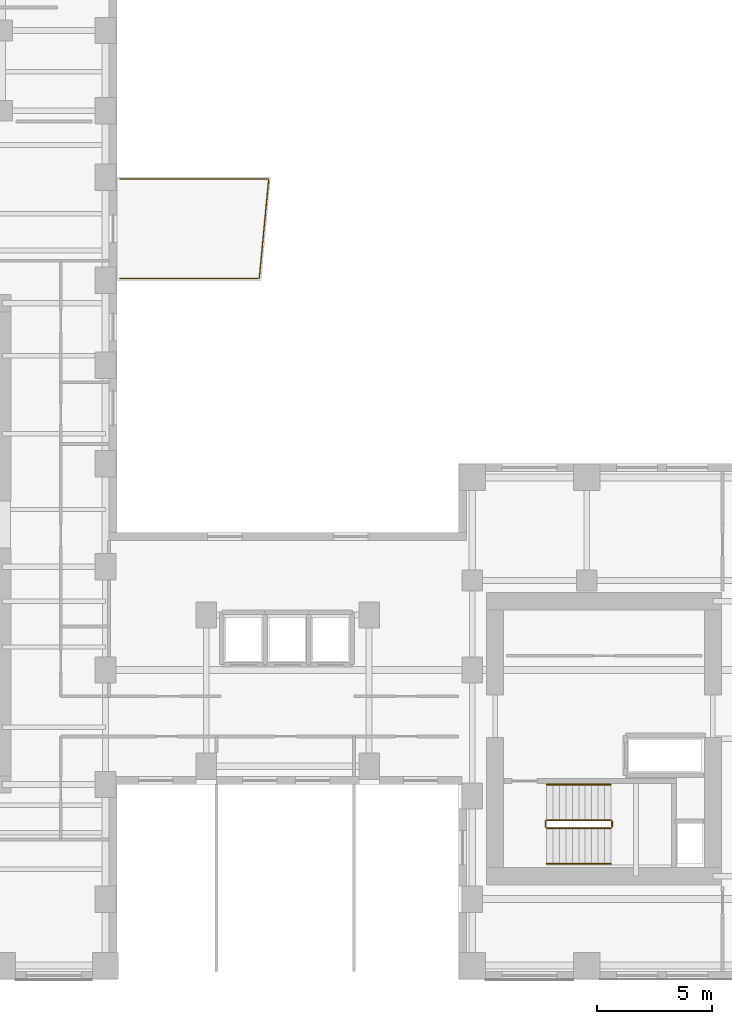
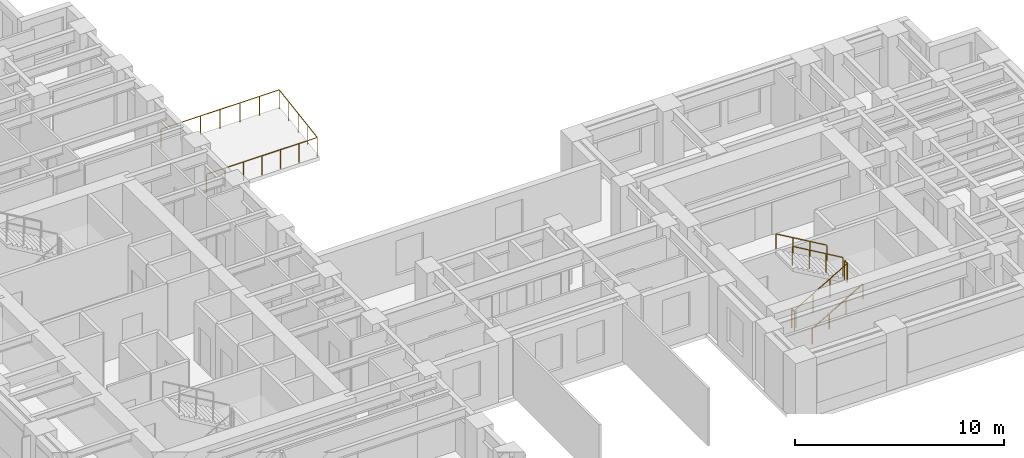
# One storey, part 11 of 11: 7 railings.
"""IFC4 building model written with IfcOpenShell, lengths in metres."""

from ifc_helpers import new_model, si_unit, direction, frame, origin, origin_2d, place, context, subcontext, project, spatial, circle, extrude, source, transform, mapped, material, layer, layer_set, type_object, element, save


model = new_model("IFC4")

# Units and contexts
model_context = context("Model", 3, precision=1e-05, world=origin(), true_north=direction((0.0, 1.0)))
body_context = subcontext(model_context, "Body", "Model", "MODEL_VIEW")
ifc_project = project(units=[si_unit("LENGTHUNIT", "METRE"), si_unit("AREAUNIT", "SQUARE_METRE"), si_unit("VOLUMEUNIT", "CUBIC_METRE"), si_unit("PLANEANGLEUNIT", "RADIAN"), si_unit("MASSUNIT", "GRAM", prefix="KILO")], contexts=[model_context])

# Site, building, storey
site_placement = place(None, origin())
site = spatial("IfcSite", under=ifc_project, at=site_placement, CompositionType="ELEMENT")
building_placement = place(site_placement, origin())
building = spatial("IfcBuilding", under=site, at=building_placement, Name="Kharzan Plaza Tower", CompositionType="ELEMENT")
storey_placement = place(building_placement, frame((0.0, 0.0, 113.39990234375)))
storey = spatial("IfcBuildingStorey", under=building, at=storey_placement, Name="L30", CompositionType="ELEMENT", Elevation=113.39990234375)

# Railings
ifc_material_1 = material(Name="Painted Galvanized Architectural Steel", Category="steel")
ifc_layer_1 = layer(ifc_material_1, 0.074951171875)
ifc_layer_set_1 = layer_set([ifc_layer_1], Name="Painted Galvanized Architectural Steel")
railing_type_1 = type_object("IfcRailingType", Name="RL-GUARD-1120", PredefinedType="BALUSTRADE", material=ifc_layer_set_1)
shared_shape_1 = source(origin(), body_context, "Body", "SweptSolid", [
    extrude(circle(Radius=0.02392578125, at=origin_2d()), frame((0.0, 0.0263671875, 1.09619140625), z_axis=(0.0, 1.0, 0.0), x_axis=(-1.0, 0.0, 0.0)), (0.0, 0.0, 1.0), 0.197021484375),
    extrude(circle(Radius=0.02099609375, at=origin_2d()), origin(), (0.0, 0.0, 1.0), 1.072021484375),
    extrude(circle(Radius=0.02099609375, at=origin_2d()), frame((0.0, 0.25, 0.0)), (0.0, 0.0, 1.0), 1.072021484375),
])
for number, where, name in (
    (1, (41.10009765625, 6.64990234375, 1.800048828125), "L30 ST-3 stair guard 2"),
    (2, (38.199951171875, 6.64990234375, 0.0), "L30 ST-3 stair guard 4"),
):
    element("IfcRailing", number, at=place(storey_placement, frame(where)), inside=storey, type_object=railing_type_1, Name=name, PredefinedType="BALUSTRADE", context=body_context, shape_type="MappedRepresentation", body=[
        mapped(shared_shape_1, transform((0.0, 0.0, 0.0), x_axis=(1.0, 0.0, 0.0), y_axis=(0.0, 1.0, 0.0), z_axis=(0.0, 0.0, 1.0))),
    ])
shared_shape_2 = source(origin(), body_context, "Body", "SweptSolid", [
    extrude(circle(Radius=0.02392578125, at=origin_2d()), frame((-0.02294921875, 0.0, 1.109375), z_axis=(-0.863360870873, 0.0, 0.504586966384), x_axis=(0.0, -1.0, 0.0)), (0.0, 0.0, 1.0), 3.190185546875),
    extrude(circle(Radius=0.02099609375, at=origin_2d()), origin(), (0.0, 0.0, 1.0), 1.072021484375),
    extrude(circle(Radius=0.02099609375, at=origin_2d()), frame((-0.933349609375, 0.0, 0.54541015625)), (0.0, 0.0, 1.0), 1.072021484375),
    extrude(circle(Radius=0.02099609375, at=origin_2d()), frame((-1.86669921875, 0.0, 1.091064453125)), (0.0, 0.0, 1.0), 1.072021484375),
    extrude(circle(Radius=0.02099609375, at=origin_2d()), frame((-2.800048828125, 0.0, 1.636474609375)), (0.0, 0.0, 1.0), 1.072021484375),
])
railing_1_placement = place(storey_placement, frame((41.050048828125, 6.949951171875, 1.963623046875)))
element("IfcRailing", 3, at=railing_1_placement, inside=storey, type_object=railing_type_1, Name="L30 ST-3 stair guard 3", PredefinedType="BALUSTRADE", context=body_context, shape_type="MappedRepresentation", body=[
    mapped(shared_shape_2, transform((0.0, 0.0, 0.0), x_axis=(1.0, 0.0, 0.0), y_axis=(0.0, 1.0, 0.0), z_axis=(0.0, 0.0, 1.0))),
])
ifc_material_2 = material(Name="Brushed Stainless Steel", Category="steel")
ifc_layer_2 = layer(ifc_material_2, 0.050048828125)
ifc_layer_set_2 = layer_set([ifc_layer_2], Name="Brushed Stainless Steel")
railing_type_2 = type_object("IfcRailingType", Name="RL-STAIR-HR920", PredefinedType="HANDRAIL", material=ifc_layer_set_2)
shared_shape_3 = source(origin(), body_context, "Body", "SweptSolid", [
    extrude(circle(Radius=0.02392578125, at=origin_2d()), frame((-0.02294921875, 0.0, 0.88916015625), z_axis=(-0.863360870873, 0.0, 0.504586966384), x_axis=(0.0, -1.0, 0.0)), (0.0, 0.0, 1.0), 3.190185546875),
    extrude(circle(Radius=0.02099609375, at=origin_2d()), origin(), (0.0, 0.0, 1.0), 0.851806640625),
    extrude(circle(Radius=0.02099609375, at=origin_2d()), frame((-0.933349609375, 0.0, 0.54541015625)), (0.0, 0.0, 1.0), 0.851806640625),
    extrude(circle(Radius=0.02099609375, at=origin_2d()), frame((-1.86669921875, 0.0, 1.091064453125)), (0.0, 0.0, 1.0), 0.851806640625),
    extrude(circle(Radius=0.02099609375, at=origin_2d()), frame((-2.800048828125, 0.0, 1.636474609375)), (0.0, 0.0, 1.0), 0.851806640625),
])
railing_2_placement = place(storey_placement, frame((41.050048828125, 8.5, 1.963623046875)))
element("IfcRailing", 4, at=railing_2_placement, inside=storey, type_object=railing_type_2, Name="L30 ST-3 stair handrail 2", PredefinedType="HANDRAIL", context=body_context, shape_type="MappedRepresentation", body=[
    mapped(shared_shape_3, transform((0.0, 0.0, 0.0), x_axis=(1.0, 0.0, 0.0), y_axis=(0.0, 1.0, 0.0), z_axis=(0.0, 0.0, 1.0))),
])
shared_shape_4 = source(origin(), body_context, "Body", "SweptSolid", [
    extrude(circle(Radius=0.02392578125, at=origin_2d()), frame((0.0263671875, 0.0, 1.09619140625), z_axis=(1.0, 0.0, 0.0), x_axis=(0.0, 1.0, 0.0)), (0.0, 0.0, 1.0), 6.056884765625),
    extrude(circle(Radius=0.02392578125, at=origin_2d()), frame((6.1123046875, 0.0263671875, 1.09619140625), z_axis=(0.094090176669, 0.995563678855, 0.0), x_axis=(-0.995563678855, 0.094090176669, 0.0)), (0.0, 0.0, 1.0), 4.306396484375),
    extrude(circle(Radius=0.02392578125, at=origin_2d()), frame((6.49365234375, 4.33984375, 1.09619140625), z_axis=(-1.0, 0.0, 0.0), x_axis=(0.0, -1.0, 0.0)), (0.0, 0.0, 1.0), 6.467041015625),
    extrude(circle(Radius=0.02099609375, at=origin_2d()), origin(), (0.0, 0.0, 1.0), 1.072021484375),
    extrude(circle(Radius=0.02099609375, at=origin_2d()), frame((1.018310546875, 0.0, 0.0)), (0.0, 0.0, 1.0), 1.072021484375),
    extrude(circle(Radius=0.02099609375, at=origin_2d()), frame((2.03662109375, 0.0, 0.0)), (0.0, 0.0, 1.0), 1.072021484375),
    extrude(circle(Radius=0.02099609375, at=origin_2d()), frame((3.054931640625, 0.0, 0.0)), (0.0, 0.0, 1.0), 1.072021484375),
    extrude(circle(Radius=0.02099609375, at=origin_2d()), frame((4.0732421875, 0.0, 0.0)), (0.0, 0.0, 1.0), 1.072021484375),
    extrude(circle(Radius=0.02099609375, at=origin_2d()), frame((5.091552734375, 0.0, 0.0)), (0.0, 0.0, 1.0), 1.072021484375),
    extrude(circle(Radius=0.02099609375, at=origin_2d()), frame((6.10986328125, 0.0, 0.0)), (0.0, 0.0, 1.0), 1.072021484375),
    extrude(circle(Radius=0.02099609375, at=origin_2d()), frame((6.21240234375, 1.0849609375, 0.0)), (0.0, 0.0, 1.0), 1.072021484375),
    extrude(circle(Radius=0.02099609375, at=origin_2d()), frame((6.31494140625, 2.169921875, 0.0)), (0.0, 0.0, 1.0), 1.072021484375),
    extrude(circle(Radius=0.02099609375, at=origin_2d()), frame((6.41748046875, 3.2548828125, 0.0)), (0.0, 0.0, 1.0), 1.072021484375),
    extrude(circle(Radius=0.02099609375, at=origin_2d()), frame((6.52001953125, 4.33984375, 0.0)), (0.0, 0.0, 1.0), 1.072021484375),
    extrude(circle(Radius=0.02099609375, at=origin_2d()), frame((5.433349609375, 4.33984375, 0.0)), (0.0, 0.0, 1.0), 1.072021484375),
    extrude(circle(Radius=0.02099609375, at=origin_2d()), frame((4.3466796875, 4.33984375, 0.0)), (0.0, 0.0, 1.0), 1.072021484375),
    extrude(circle(Radius=0.02099609375, at=origin_2d()), frame((3.260009765625, 4.33984375, 0.0)), (0.0, 0.0, 1.0), 1.072021484375),
    extrude(circle(Radius=0.02099609375, at=origin_2d()), frame((2.17333984375, 4.33984375, 0.0)), (0.0, 0.0, 1.0), 1.072021484375),
    extrude(circle(Radius=0.02099609375, at=origin_2d()), frame((1.086669921875, 4.33984375, 0.0)), (0.0, 0.0, 1.0), 1.072021484375),
    extrude(circle(Radius=0.02099609375, at=origin_2d()), frame((0.0, 4.33984375, 0.0)), (0.0, 0.0, 1.0), 1.072021484375),
])
railing_3_placement = place(storey_placement, frame((19.60009765625, 30.580078125, 0.0)))
element("IfcRailing", 5, at=railing_3_placement, inside=storey, type_object=railing_type_1, Name="L30 Cantilevered Sky-Terrace Tray Balustrade", PredefinedType="BALUSTRADE", context=body_context, shape_type="MappedRepresentation", body=[
    mapped(shared_shape_4, transform((0.0, 0.0, 0.0), x_axis=(1.0, 0.0, 0.0), y_axis=(0.0, 1.0, 0.0), z_axis=(0.0, 0.0, 1.0))),
])
shared_shape_5 = source(origin(), body_context, "Body", "SweptSolid", [
    extrude(circle(Radius=0.02392578125, at=origin_2d()), frame((0.02294921875, 0.0, 1.109375), z_axis=(0.863393664356, 0.0, 0.504530851732), x_axis=(0.0, 1.0, 0.0)), (0.0, 0.0, 1.0), 3.190185546875),
    extrude(circle(Radius=0.02099609375, at=origin_2d()), origin(), (0.0, 0.0, 1.0), 1.072021484375),
    extrude(circle(Radius=0.02099609375, at=origin_2d()), frame((0.933349609375, 0.0, 0.54541015625)), (0.0, 0.0, 1.0), 1.072021484375),
    extrude(circle(Radius=0.02099609375, at=origin_2d()), frame((1.86669921875, 0.0, 1.0908203125)), (0.0, 0.0, 1.0), 1.072021484375),
    extrude(circle(Radius=0.02099609375, at=origin_2d()), frame((2.800048828125, 0.0, 1.63623046875)), (0.0, 0.0, 1.0), 1.072021484375),
])
railing_4_placement = place(storey_placement, frame((38.25, 6.60009765625, 0.163818359375)))
element("IfcRailing", 6, at=railing_4_placement, inside=storey, type_object=railing_type_1, Name="L30 ST-3 stair guard 1", PredefinedType="BALUSTRADE", context=body_context, shape_type="MappedRepresentation", body=[
    mapped(shared_shape_5, transform((0.0, 0.0, 0.0), x_axis=(1.0, 0.0, 0.0), y_axis=(0.0, 1.0, 0.0), z_axis=(0.0, 0.0, 1.0))),
])
shared_shape_6 = source(origin(), body_context, "Body", "SweptSolid", [
    extrude(circle(Radius=0.02392578125, at=origin_2d()), frame((0.02294921875, 0.0, 0.88916015625), z_axis=(0.863393664356, 0.0, 0.504530851732), x_axis=(0.0, 1.0, 0.0)), (0.0, 0.0, 1.0), 3.190185546875),
    extrude(circle(Radius=0.02099609375, at=origin_2d()), origin(), (0.0, 0.0, 1.0), 0.851806640625),
    extrude(circle(Radius=0.02099609375, at=origin_2d()), frame((0.933349609375, 0.0, 0.54541015625)), (0.0, 0.0, 1.0), 0.851806640625),
    extrude(circle(Radius=0.02099609375, at=origin_2d()), frame((1.86669921875, 0.0, 1.0908203125)), (0.0, 0.0, 1.0), 0.851806640625),
    extrude(circle(Radius=0.02099609375, at=origin_2d()), frame((2.800048828125, 0.0, 1.63623046875)), (0.0, 0.0, 1.0), 0.851806640625),
])
railing_5_placement = place(storey_placement, frame((38.25, 5.050048828125, 0.163818359375)))
element("IfcRailing", 7, at=railing_5_placement, inside=storey, type_object=railing_type_2, Name="L30 ST-3 stair handrail 1", PredefinedType="HANDRAIL", context=body_context, shape_type="MappedRepresentation", body=[
    mapped(shared_shape_6, transform((0.0, 0.0, 0.0), x_axis=(1.0, 0.0, 0.0), y_axis=(0.0, 1.0, 0.0), z_axis=(0.0, 0.0, 1.0))),
])

save(model, "model.ifc")
